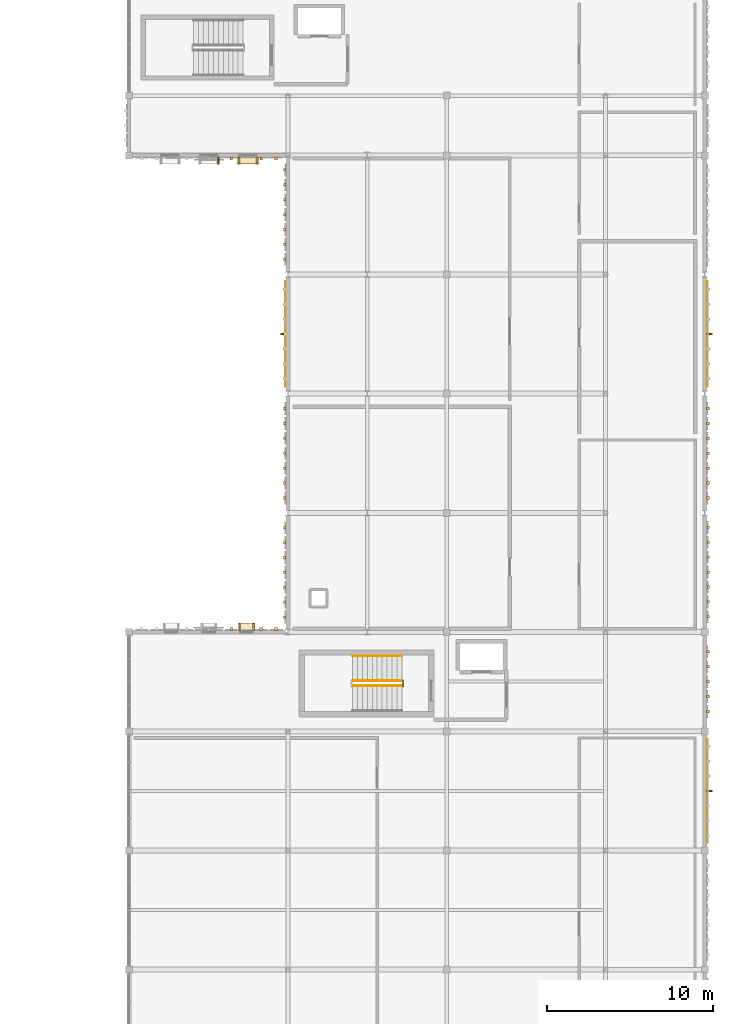
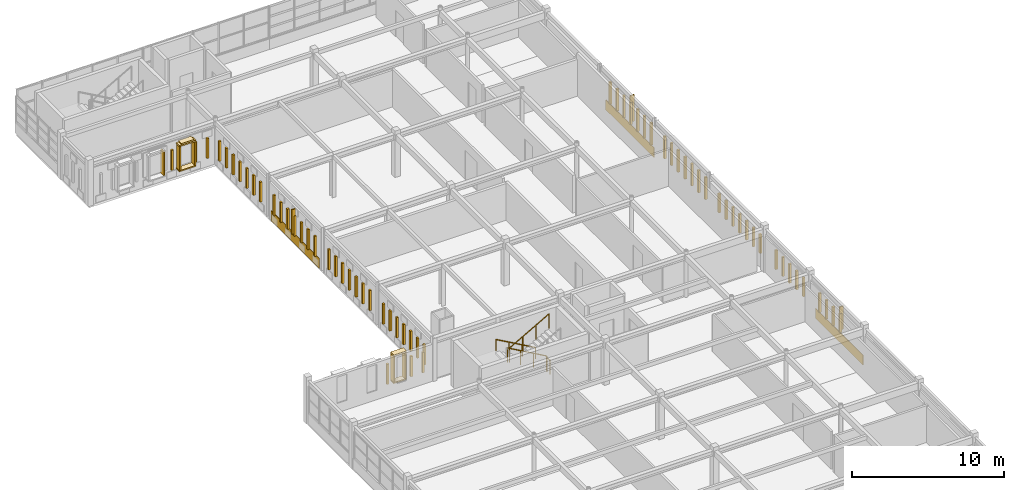
# One storey, part 41 of 46: 77 coverings, 4 railings, 3 shading devices.
"""IFC4 building model written with IfcOpenShell, lengths in metres."""

import ifcopenshell
import ifcopenshell.guid

model = None  # the IFC model being written
_history = None  # IfcOwnerHistory: only IFC2X3 demands one
_inside = {}  # id of a spatial element -> (the spatial element, [elements in it])
_under = {}  # id of a project, library or spatial element -> (it, [spatial elements below it])
_declared = {}  # id of a project -> (the project, [libraries it declares])
_typed = {}  # id of a type object -> (the type object, [elements of that type])
_made_of = {}  # id of a material, layer set ... -> (it, [elements and type objects made of it])


def new_model(schema):
    """Start an empty IFC model of exactly this schema.

    Asked for "IFC4X3", IfcOpenShell would pick the latest addendum, in which some entities
    have other attributes; the version numbers below select the first issue.
    IFC2X3 requires an IfcOwnerHistory on every rooted entity: one is made here for all.
    """
    global model, _history
    if schema == "IFC4X3":
        model = ifcopenshell.file(schema_version=(4, 3, 0, 0))
    else:
        model = ifcopenshell.file(schema=schema)
    _inside.clear()
    _under.clear()
    _declared.clear()
    _typed.clear()
    _made_of.clear()
    _history = None
    if model.schema == "IFC2X3":
        org = make("IfcOrganization", Name="unknown")
        user = make(
            "IfcPersonAndOrganization",
            ThePerson=make("IfcPerson", FamilyName="unknown"),
            TheOrganization=org,
        )
        app = make(
            "IfcApplication",
            ApplicationDeveloper=org,
            Version="unknown",
            ApplicationFullName="unknown",
            ApplicationIdentifier="unknown",
        )
        _history = make(
            "IfcOwnerHistory",
            OwningUser=user,
            OwningApplication=app,
            ChangeAction="ADDED",
            CreationDate=0,
        )
    return model


def make(cls, **values):
    """One entity of the class cls with the attributes given. An attribute that is None is left unset."""
    return model.create_entity(
        cls, **{name: value for name, value in values.items() if value is not None}
    )


def rooted(cls, **values):
    """An entity with a GlobalId (a new one), such as an element, a storey or a relation."""
    return make(cls, GlobalId=ifcopenshell.guid.new(), OwnerHistory=_history, **values)


def si_unit(unit_type, name, prefix=None):
    """IfcSIUnit, for example si_unit("LENGTHUNIT", "METRE", prefix="MILLI")."""
    return make("IfcSIUnit", UnitType=unit_type, Prefix=prefix, Name=name)


def assignment(units):
    """IfcUnitAssignment: the units of a project."""
    return None if units is None else make("IfcUnitAssignment", Units=units)


def point(xyz):
    """IfcCartesianPoint."""
    return None if xyz is None else make("IfcCartesianPoint", Coordinates=xyz)


def direction(xyz):
    """IfcDirection."""
    return None if xyz is None else make("IfcDirection", DirectionRatios=xyz)


def frame(location, z_axis=None, x_axis=None):
    """IfcAxis2Placement3D, a coordinate frame: its origin and axes. An axis left out is left unset."""
    return make(
        "IfcAxis2Placement3D",
        Location=point(location),
        Axis=direction(z_axis),
        RefDirection=direction(x_axis),
    )


def frame_2d(location, x_axis=None):
    """IfcAxis2Placement2D, a coordinate frame in the plane: its origin and x axis."""
    return make(
        "IfcAxis2Placement2D", Location=point(location), RefDirection=direction(x_axis)
    )


def origin():
    """The frame at (0, 0, 0) with its axes left unset."""
    return frame((0.0, 0.0, 0.0))


def origin_2d():
    """The frame at (0, 0) in the plane with its x axis left unset."""
    return frame_2d((0.0, 0.0))


def place(relative_to, where):
    """IfcLocalPlacement: puts the frame where relative to a parent placement (None: the world)."""
    return make(
        "IfcLocalPlacement", PlacementRelTo=relative_to, RelativePlacement=where
    )


def context(
    kind, dimensions, precision=None, world=None, true_north=None, identifier=None
):
    """IfcGeometricRepresentationContext, for example the 3D "Model" context."""
    return make(
        "IfcGeometricRepresentationContext",
        ContextIdentifier=identifier,
        ContextType=kind,
        CoordinateSpaceDimension=dimensions,
        Precision=precision,
        WorldCoordinateSystem=world,
        TrueNorth=true_north,
    )


def subcontext(parent, identifier, kind, view, scale=None):
    """IfcGeometricRepresentationSubContext, for example "Body" below "Model"."""
    return make(
        "IfcGeometricRepresentationSubContext",
        ContextIdentifier=identifier,
        ContextType=kind,
        ParentContext=parent,
        TargetScale=scale,
        TargetView=view,
    )


def project(units=None, contexts=None):
    """IfcProject with its units and contexts."""
    return rooted(
        "IfcProject",
        Name="project",
        RepresentationContexts=contexts,
        UnitsInContext=assignment(units),
    )


def spatial(cls, under=None, at=None, **own):
    """A site, building, storey or space (cls), placed at a placement, below another one or the project."""
    s = rooted(cls, ObjectPlacement=at, **own)
    if under is not None:
        _under.setdefault(under.id(), (under, []))[1].append(s)
    return s


def profile(cls, at=None, kind="AREA", **sizes):
    """A parametric profile (cls). Its sizes go by their IFC names, for example OverallWidth=200.0."""
    return make(cls, ProfileType=kind, Position=at, **sizes)


def rectangle(**sizes):
    """IfcRectangleProfileDef."""
    return profile("IfcRectangleProfileDef", **sizes)


def circle(**sizes):
    """IfcCircleProfileDef."""
    return profile("IfcCircleProfileDef", **sizes)


def extrude(swept, where, along, depth):
    """IfcExtrudedAreaSolid: the profile swept, set in the frame where, extruded along a direction by depth."""
    return make(
        "IfcExtrudedAreaSolid",
        SweptArea=swept,
        Position=where,
        ExtrudedDirection=direction(along),
        Depth=depth,
    )


def shape(context_of_items, identifier, shape_type, items):
    """IfcShapeRepresentation: the items that make up one representation, for example the "Body"."""
    return make(
        "IfcShapeRepresentation",
        ContextOfItems=context_of_items,
        RepresentationIdentifier=identifier,
        RepresentationType=shape_type,
        Items=items,
    )


def material(Name=None, Category=None):
    """IfcMaterial."""
    return make("IfcMaterial", Name=Name, Category=Category)


def layer(
    of_material, thickness, ventilated=None, Name=None, Category=None, Priority=None
):
    """IfcMaterialLayer: one layer of a wall or slab, of a material (None: an air gap)."""
    return make(
        "IfcMaterialLayer",
        Material=of_material,
        LayerThickness=thickness,
        IsVentilated=ventilated,
        Name=Name,
        Category=Category,
        Priority=Priority,
    )


def layer_set(layers, Name=None):
    """IfcMaterialLayerSet."""
    return make("IfcMaterialLayerSet", MaterialLayers=layers, LayerSetName=Name)


def made_of(thing, what):
    """Note that an element or type object is made of a material, layer set ...; save() writes the relation."""
    if what is not None:
        _made_of.setdefault(what.id(), (what, []))[1].append(thing)
    return thing


def type_object(cls, material=None, **own):
    """A type object (cls), such as IfcWallType, which elements share."""
    return made_of(rooted(cls, **own), material)


def element(
    cls,
    number,
    at=None,
    inside=None,
    cuts=None,
    type_object=None,
    material=None,
    context=None,
    identifier="Body",
    shape_type=None,
    held_by="IfcProductDefinitionShape",
    body=None,
    shapes=None,
    **own,
):
    """One element of the class cls, such as IfcWall. Its Tag is "e" and its number.

    at: its placement. inside: the storey or other place that contains it. cuts: it is an
    opening in that element (IfcRelVoidsElement). A single representation is given by context,
    identifier, shape_type and body (its items); several are given by shapes. held_by: the class
    of the entity that holds the representations. save() writes the other relations.
    """
    e = rooted(cls, Tag="e%d" % number, ObjectPlacement=at, **own)
    if body is not None:
        shapes = [shape(context, identifier, shape_type, body)]
    if shapes is not None:
        e.Representation = make(held_by, Representations=shapes)
    if inside is not None:
        _inside.setdefault(inside.id(), (inside, []))[1].append(e)
    if cuts is not None:
        rooted(
            "IfcRelVoidsElement", RelatingBuildingElement=cuts, RelatedOpeningElement=e
        )
    if type_object is not None:
        _typed.setdefault(type_object.id(), (type_object, []))[1].append(e)
    return made_of(e, material)


def aggregate(whole, parts):
    """IfcRelAggregates: a whole, such as a stair, and the parts it consists of."""
    return rooted("IfcRelAggregates", RelatingObject=whole, RelatedObjects=parts)


def save(model, path):
    """Write the relations noted so far, then the file.

    IfcRelAggregates (storeys below a building ...), IfcRelContainedInSpatialStructure (elements
    in a storey), IfcRelDefinesByType, IfcRelAssociatesMaterial and IfcRelDeclares: one each for
    every whole, place, type object, material and project.
    """
    for whole, parts in _under.values():
        aggregate(whole, parts)
    for where, things in _inside.values():
        rooted(
            "IfcRelContainedInSpatialStructure",
            RelatedElements=things,
            RelatingStructure=where,
        )
    for kind, things in _typed.values():
        rooted("IfcRelDefinesByType", RelatedObjects=things, RelatingType=kind)
    for what, things in _made_of.values():
        rooted("IfcRelAssociatesMaterial", RelatedObjects=things, RelatingMaterial=what)
    for by, libraries in _declared.values():
        rooted("IfcRelDeclares", RelatingContext=by, RelatedDefinitions=libraries)
    model.write(path)


model = new_model("IFC4")

# Units and contexts
model_context = context("Model", 3, precision=1e-05, world=origin(), true_north=direction((0.0, 1.0)))
body_context = subcontext(model_context, "Body", "Model", "MODEL_VIEW")
ifc_project = project(units=[si_unit("LENGTHUNIT", "METRE"), si_unit("AREAUNIT", "SQUARE_METRE"), si_unit("VOLUMEUNIT", "CUBIC_METRE"), si_unit("PLANEANGLEUNIT", "RADIAN"), si_unit("MASSUNIT", "GRAM", prefix="KILO")], contexts=[model_context])

# Site, building, storey
site_placement = place(None, origin())
site = spatial("IfcSite", under=ifc_project, at=site_placement, CompositionType="ELEMENT")
building_placement = place(site_placement, origin())
building = spatial("IfcBuilding", under=site, at=building_placement, Name="Nzembalo Square Collegiate School", CompositionType="ELEMENT")
storey_placement = place(building_placement, frame((0.0, 0.0, 17.340087890625)))
storey = spatial("IfcBuildingStorey", under=building, at=storey_placement, Name="L04", CompositionType="ELEMENT", Elevation=17.340087890625)

# Coverings
ifc_material_1 = material(Name="Glazed cobalt ceramic patterned tile")
ifc_layer_1 = layer(ifc_material_1, 0.074951171875, Name="Glazed cobalt ceramic patterned tile")
ifc_layer_set_1 = layer_set([ifc_layer_1], Name="Glazed cobalt ceramic patterned tile")
covering_type_1 = type_object("IfcCoveringType", Name="CL01", PredefinedType="CLADDING", material=ifc_layer_set_1)
covering_1_placement = place(storey_placement, frame((140.262451171875, 68.39990234375, 0.02001953125), z_axis=(0.0, 0.0, 1.0), x_axis=(1.0, 0.0, 0.0)))
element("IfcCovering", 1, at=covering_1_placement, inside=storey, type_object=covering_type_1, Name="Faience spandrel cladding CL01-0244", PredefinedType="CLADDING", context=body_context, shape_type="SweptSolid", body=[
    extrude(rectangle(XDim=0.034912109375, YDim=6.35595703125, at=origin_2d()), origin(), (0.0, 0.0, 1.0), 0.800048828125),
])
covering_2_placement = place(storey_placement, frame((165.737548828125, 40.800048828125, 0.02001953125), z_axis=(0.0, 0.0, 1.0), x_axis=(1.0, 0.0, 0.0)))
element("IfcCovering", 2, at=covering_2_placement, inside=storey, type_object=covering_type_1, Name="Faience spandrel cladding CL01-0252", PredefinedType="CLADDING", context=body_context, shape_type="SweptSolid", body=[
    extrude(rectangle(XDim=0.034912109375, YDim=6.27587890625, at=origin_2d()), origin(), (0.0, 0.0, 1.0), 0.800048828125),
])
covering_3_placement = place(storey_placement, frame((165.737548828125, 68.39990234375, 0.02001953125), z_axis=(0.0, 0.0, 1.0), x_axis=(1.0, 0.0, 0.0)))
element("IfcCovering", 3, at=covering_3_placement, inside=storey, type_object=covering_type_1, Name="Faience spandrel cladding CL01-0256", PredefinedType="CLADDING", context=body_context, shape_type="SweptSolid", body=[
    extrude(rectangle(XDim=0.034912109375, YDim=6.35595703125, at=origin_2d()), origin(), (0.0, 0.0, 1.0), 0.800048828125),
])
ifc_material_2 = material(Name="Glazed ochre ceramic lancet rib")
ifc_layer_2 = layer(ifc_material_2, 0.159912109375, Name="Glazed ochre ceramic lancet rib")
ifc_layer_set_2 = layer_set([ifc_layer_2], Name="Glazed ochre ceramic lancet rib")
covering_type_2 = type_object("IfcCoveringType", Name="CL02", PredefinedType="CLADDING", material=ifc_layer_set_2)
for number, where, z_axis, x_axis, name in (
    (4, (136.97998046875, 50.577392578125, 0.760009765625), (0.0, 0.0, 1.0), (1.0, 0.0, 0.0), "Gothic ceramic rib CL02-X0241-6"),
    (5, (138.780029296875, 50.577392578125, 0.760009765625), (0.0, 0.0, 1.0), (1.0, 0.0, 0.0), "Gothic ceramic rib CL02-X0241-8"),
    (6, (139.679931640625, 50.577392578125, 0.760009765625), (0.0, 0.0, 1.0), (1.0, 0.0, 0.0), "Gothic ceramic rib CL02-X0241-9"),
    (7, (140.20751953125, 51.300048828125, 0.760009765625), (0.0, 0.0, 1.0), (1.0, 0.0, 0.0), "Gothic ceramic rib CL02-Y0242-0"),
    (8, (140.20751953125, 52.199951171875, 0.760009765625), (0.0, 0.0, 1.0), (1.0, 0.0, 0.0), "Gothic ceramic rib CL02-Y0242-1"),
    (9, (140.20751953125, 53.10009765625, 0.760009765625), (0.0, 0.0, 1.0), (1.0, 0.0, 0.0), "Gothic ceramic rib CL02-Y0242-2"),
    (10, (140.20751953125, 54.0, 0.760009765625), (0.0, 0.0, 1.0), (1.0, 0.0, 0.0), "Gothic ceramic rib CL02-Y0242-3"),
    (11, (140.20751953125, 54.89990234375, 0.760009765625), (0.0, 0.0, 1.0), (1.0, 0.0, 0.0), "Gothic ceramic rib CL02-Y0242-4"),
    (12, (140.20751953125, 55.800048828125, 0.760009765625), (0.0, 0.0, 1.0), (1.0, 0.0, 0.0), "Gothic ceramic rib CL02-Y0242-5"),
    (13, (140.20751953125, 56.699951171875, 0.760009765625), (0.0, 0.0, 1.0), (1.0, 0.0, 0.0), "Gothic ceramic rib CL02-Y0242-6"),
    (14, (140.222412109375, 58.5, 0.760009765625), (0.0, 0.0, 1.0), (1.0, 0.0, 0.0), "Gothic ceramic rib CL02-Y0243-0"),
    (15, (140.222412109375, 59.39990234375, 0.760009765625), (0.0, 0.0, 1.0), (1.0, 0.0, 0.0), "Gothic ceramic rib CL02-Y0243-1"),
    (16, (140.222412109375, 60.300048828125, 0.760009765625), (0.0, 0.0, 1.0), (1.0, 0.0, 0.0), "Gothic ceramic rib CL02-Y0243-2"),
    (17, (140.222412109375, 61.199951171875, 0.760009765625), (0.0, 0.0, 1.0), (1.0, 0.0, 0.0), "Gothic ceramic rib CL02-Y0243-3"),
    (18, (140.222412109375, 62.10009765625, 0.760009765625), (0.0, 0.0, 1.0), (1.0, 0.0, 0.0), "Gothic ceramic rib CL02-Y0243-4"),
    (19, (140.222412109375, 63.0, 0.760009765625), (0.0, 0.0, 1.0), (1.0, 0.0, 0.0), "Gothic ceramic rib CL02-Y0243-5"),
    (20, (140.222412109375, 63.89990234375, 0.760009765625), (0.0, 0.0, 1.0), (1.0, 0.0, 0.0), "Gothic ceramic rib CL02-Y0243-6"),
    (21, (140.20751953125, 65.699951171875, 0.760009765625), (0.0, 0.0, 1.0), (1.0, 0.0, 0.0), "Gothic ceramic rib CL02-Y0244-0"),
    (22, (140.20751953125, 66.60009765625, 0.760009765625), (0.0, 0.0, 1.0), (1.0, 0.0, 0.0), "Gothic ceramic rib CL02-Y0244-1"),
    (23, (140.20751953125, 67.5, 0.760009765625), (0.0, 0.0, 1.0), (1.0, 0.0, 0.0), "Gothic ceramic rib CL02-Y0244-2"),
    (24, (140.20751953125, 68.39990234375, 0.760009765625), (0.0, 0.0, 1.0), (1.0, 0.0, 0.0), "Gothic ceramic rib CL02-Y0244-3"),
    (25, (140.20751953125, 69.300048828125, 0.760009765625), (0.0, 0.0, 1.0), (1.0, 0.0, 0.0), "Gothic ceramic rib CL02-Y0244-4"),
    (26, (140.20751953125, 70.199951171875, 0.760009765625), (0.0, 0.0, 1.0), (1.0, 0.0, 0.0), "Gothic ceramic rib CL02-Y0244-5"),
    (27, (140.20751953125, 71.10009765625, 0.760009765625), (0.0, 0.0, 1.0), (1.0, 0.0, 0.0), "Gothic ceramic rib CL02-Y0244-6"),
):
    element("IfcCovering", number, at=place(storey_placement, frame(where, z_axis=z_axis, x_axis=x_axis)), inside=storey, type_object=covering_type_2, Name=name, PredefinedType="CLADDING", context=body_context, shape_type="SweptSolid", body=[
        extrude(rectangle(XDim=0.159912109375, YDim=0.159912109375, at=origin_2d()), origin(), (0.0, 0.0, 1.0), 1.62890625),
    ])
for number, where, z_axis, x_axis, name in (
    (28, (140.222412109375, 72.916748046875, 0.759765625), (0.0, 0.0, 1.0), (1.0, 0.0, 0.0), "Gothic ceramic rib CL02-Y0245-0"),
    (29, (140.222412109375, 73.816650390625, 0.759765625), (0.0, 0.0, 1.0), (1.0, 0.0, 0.0), "Gothic ceramic rib CL02-Y0245-1"),
    (30, (140.222412109375, 74.716796875, 0.759765625), (0.0, 0.0, 1.0), (1.0, 0.0, 0.0), "Gothic ceramic rib CL02-Y0245-2"),
    (31, (140.222412109375, 75.61669921875, 0.759765625), (0.0, 0.0, 1.0), (1.0, 0.0, 0.0), "Gothic ceramic rib CL02-Y0245-3"),
    (32, (140.222412109375, 76.5166015625, 0.759765625), (0.0, 0.0, 1.0), (1.0, 0.0, 0.0), "Gothic ceramic rib CL02-Y0245-4"),
    (33, (140.222412109375, 77.416748046875, 0.759765625), (0.0, 0.0, 1.0), (1.0, 0.0, 0.0), "Gothic ceramic rib CL02-Y0245-5"),
    (34, (140.222412109375, 78.316650390625, 0.759765625), (0.0, 0.0, 1.0), (1.0, 0.0, 0.0), "Gothic ceramic rib CL02-Y0245-6"),
    (35, (136.98681640625, 79.007568359375, 0.759765625), (0.0, 0.0, 1.0), (1.0, 0.0, 0.0), "Gothic ceramic rib CL02-X0246-6"),
    (36, (138.78662109375, 79.007568359375, 0.759765625), (0.0, 0.0, 1.0), (1.0, 0.0, 0.0), "Gothic ceramic rib CL02-X0246-8"),
    (37, (139.686767578125, 79.007568359375, 0.759765625), (0.0, 0.0, 1.0), (1.0, 0.0, 0.0), "Gothic ceramic rib CL02-X0246-9"),
):
    element("IfcCovering", number, at=place(storey_placement, frame(where, z_axis=z_axis, x_axis=x_axis)), inside=storey, type_object=covering_type_2, Name=name, PredefinedType="CLADDING", context=body_context, shape_type="SweptSolid", body=[
        extrude(rectangle(XDim=0.159912109375, YDim=0.159912109375, at=origin_2d()), origin(), (0.0, 0.0, 1.0), 1.59912109375),
    ])
for number, where, z_axis, x_axis, name in (
    (38, (165.79248046875, 40.800048828125, 0.760009765625), (0.0, 0.0, 1.0), (1.0, 0.0, 0.0), "Gothic ceramic rib CL02-Y0252-3"),
    (39, (165.79248046875, 41.699951171875, 0.760009765625), (0.0, 0.0, 1.0), (1.0, 0.0, 0.0), "Gothic ceramic rib CL02-Y0252-4"),
    (40, (165.79248046875, 42.60009765625, 0.760009765625), (0.0, 0.0, 1.0), (1.0, 0.0, 0.0), "Gothic ceramic rib CL02-Y0252-5"),
    (41, (165.79248046875, 43.5, 0.760009765625), (0.0, 0.0, 1.0), (1.0, 0.0, 0.0), "Gothic ceramic rib CL02-Y0252-6"),
    (42, (165.777587890625, 45.60009765625, 0.760009765625), (0.0, 0.0, 1.0), (1.0, 0.0, 0.0), "Gothic ceramic rib CL02-Y0253-0"),
    (43, (165.777587890625, 46.5, 0.760009765625), (0.0, 0.0, 1.0), (1.0, 0.0, 0.0), "Gothic ceramic rib CL02-Y0253-1"),
    (44, (165.777587890625, 47.39990234375, 0.760009765625), (0.0, 0.0, 1.0), (1.0, 0.0, 0.0), "Gothic ceramic rib CL02-Y0253-2"),
    (45, (165.777587890625, 48.300048828125, 0.760009765625), (0.0, 0.0, 1.0), (1.0, 0.0, 0.0), "Gothic ceramic rib CL02-Y0253-3"),
    (46, (165.777587890625, 49.199951171875, 0.760009765625), (0.0, 0.0, 1.0), (1.0, 0.0, 0.0), "Gothic ceramic rib CL02-Y0253-4"),
    (47, (165.79248046875, 51.320068359375, 0.760009765625), (0.0, 0.0, 1.0), (1.0, 0.0, 0.0), "Gothic ceramic rib CL02-Y0254-0"),
    (48, (165.79248046875, 52.219970703125, 0.760009765625), (0.0, 0.0, 1.0), (1.0, 0.0, 0.0), "Gothic ceramic rib CL02-Y0254-1"),
    (49, (165.79248046875, 53.1201171875, 0.760009765625), (0.0, 0.0, 1.0), (1.0, 0.0, 0.0), "Gothic ceramic rib CL02-Y0254-2"),
    (50, (165.79248046875, 54.02001953125, 0.760009765625), (0.0, 0.0, 1.0), (1.0, 0.0, 0.0), "Gothic ceramic rib CL02-Y0254-3"),
    (51, (165.79248046875, 54.919921875, 0.760009765625), (0.0, 0.0, 1.0), (1.0, 0.0, 0.0), "Gothic ceramic rib CL02-Y0254-4"),
    (52, (165.79248046875, 55.820068359375, 0.760009765625), (0.0, 0.0, 1.0), (1.0, 0.0, 0.0), "Gothic ceramic rib CL02-Y0254-5"),
    (53, (165.79248046875, 56.719970703125, 0.760009765625), (0.0, 0.0, 1.0), (1.0, 0.0, 0.0), "Gothic ceramic rib CL02-Y0254-6"),
):
    element("IfcCovering", number, at=place(storey_placement, frame(where, z_axis=z_axis, x_axis=x_axis)), inside=storey, type_object=covering_type_2, Name=name, PredefinedType="CLADDING", context=body_context, shape_type="SweptSolid", body=[
        extrude(rectangle(XDim=0.159912109375, YDim=0.159912109375, at=origin_2d()), origin(), (0.0, 0.0, 1.0), 1.51904296875),
    ])
for number, where, z_axis, x_axis, name in (
    (54, (165.777587890625, 58.5, 0.759765625), (0.0, 0.0, 1.0), (1.0, 0.0, 0.0), "Gothic ceramic rib CL02-Y0255-0"),
    (55, (165.777587890625, 59.39990234375, 0.759765625), (0.0, 0.0, 1.0), (1.0, 0.0, 0.0), "Gothic ceramic rib CL02-Y0255-1"),
    (56, (165.777587890625, 60.300048828125, 0.759765625), (0.0, 0.0, 1.0), (1.0, 0.0, 0.0), "Gothic ceramic rib CL02-Y0255-2"),
    (57, (165.777587890625, 61.199951171875, 0.759765625), (0.0, 0.0, 1.0), (1.0, 0.0, 0.0), "Gothic ceramic rib CL02-Y0255-3"),
    (58, (165.777587890625, 62.10009765625, 0.759765625), (0.0, 0.0, 1.0), (1.0, 0.0, 0.0), "Gothic ceramic rib CL02-Y0255-4"),
    (59, (165.777587890625, 63.0, 0.759765625), (0.0, 0.0, 1.0), (1.0, 0.0, 0.0), "Gothic ceramic rib CL02-Y0255-5"),
    (60, (165.777587890625, 63.89990234375, 0.759765625), (0.0, 0.0, 1.0), (1.0, 0.0, 0.0), "Gothic ceramic rib CL02-Y0255-6"),
    (61, (165.79248046875, 65.699951171875, 0.759765625), (0.0, 0.0, 1.0), (1.0, 0.0, 0.0), "Gothic ceramic rib CL02-Y0256-0"),
    (62, (165.79248046875, 66.60009765625, 0.759765625), (0.0, 0.0, 1.0), (1.0, 0.0, 0.0), "Gothic ceramic rib CL02-Y0256-1"),
    (63, (165.79248046875, 67.5, 0.759765625), (0.0, 0.0, 1.0), (1.0, 0.0, 0.0), "Gothic ceramic rib CL02-Y0256-2"),
    (64, (165.79248046875, 68.39990234375, 0.759765625), (0.0, 0.0, 1.0), (1.0, 0.0, 0.0), "Gothic ceramic rib CL02-Y0256-3"),
    (65, (165.79248046875, 69.300048828125, 0.759765625), (0.0, 0.0, 1.0), (1.0, 0.0, 0.0), "Gothic ceramic rib CL02-Y0256-4"),
    (66, (165.79248046875, 70.199951171875, 0.759765625), (0.0, 0.0, 1.0), (1.0, 0.0, 0.0), "Gothic ceramic rib CL02-Y0256-5"),
    (67, (165.79248046875, 71.10009765625, 0.759765625), (0.0, 0.0, 1.0), (1.0, 0.0, 0.0), "Gothic ceramic rib CL02-Y0256-6"),
):
    element("IfcCovering", number, at=place(storey_placement, frame(where, z_axis=z_axis, x_axis=x_axis)), inside=storey, type_object=covering_type_2, Name=name, PredefinedType="CLADDING", context=body_context, shape_type="SweptSolid", body=[
        extrude(rectangle(XDim=0.159912109375, YDim=0.159912109375, at=origin_2d()), origin(), (0.0, 0.0, 1.0), 1.779052734375),
    ])
ifc_material_3 = material(Name="Glazed celadon ceramic window frame")
ifc_layer_3 = layer(ifc_material_3, 0.419921875, Name="Glazed celadon ceramic window frame")
ifc_layer_set_3 = layer_set([ifc_layer_3], Name="Glazed celadon ceramic window frame")
covering_type_3 = type_object("IfcCoveringType", Name="WF01", PredefinedType="CLADDING", material=ifc_layer_set_3)
covering_4_placement = place(storey_placement, frame((137.906494140625, 50.71240234375, 2.85498046875), z_axis=(0.0, 0.0, 1.0), x_axis=(1.0, 0.0, 0.0)))
element("IfcCovering", 68, at=covering_4_placement, inside=storey, type_object=covering_type_3, Name="Deep lancet window hood WF01-0817", PredefinedType="CLADDING", context=body_context, shape_type="SweptSolid", body=[
    extrude(rectangle(XDim=0.989990234375, YDim=0.419921875, at=origin_2d()), origin(), (0.0, 0.0, 1.0), 0.110107421875),
])
covering_5_placement = place(storey_placement, frame((137.906494140625, 50.71240234375, 0.65478515625), z_axis=(0.0, 0.0, 1.0), x_axis=(1.0, 0.0, 0.0)))
element("IfcCovering", 69, at=covering_5_placement, inside=storey, type_object=covering_type_3, Name="Deep lancet window sill WF01-0817", PredefinedType="CLADDING", context=body_context, shape_type="SweptSolid", body=[
    extrude(rectangle(XDim=0.989990234375, YDim=0.419921875, at=origin_2d()), origin(), (0.0, 0.0, 1.0), 0.090087890625),
])
for number, where, z_axis, x_axis, name in (
    (70, (137.4765625, 50.71240234375, 0.749755859375), (0.0, 0.0, 1.0), (1.0, 0.0, 0.0), "Deep lancet window jamb WF01-0817L"),
    (71, (138.33642578125, 50.71240234375, 0.749755859375), (0.0, 0.0, 1.0), (1.0, 0.0, 0.0), "Deep lancet window jamb WF01-0817R"),
):
    element("IfcCovering", number, at=place(storey_placement, frame(where, z_axis=z_axis, x_axis=x_axis)), inside=storey, type_object=covering_type_3, Name=name, PredefinedType="CLADDING", context=body_context, shape_type="SweptSolid", body=[
        extrude(rectangle(XDim=0.10009765625, YDim=0.419921875, at=origin_2d()), origin(), (0.0, 0.0, 1.0), 2.10009765625),
    ])
covering_6_placement = place(storey_placement, frame((136.216796875, 78.87255859375, 0.75), z_axis=(0.0, 0.0, 1.0), x_axis=(1.0, 0.0, 0.0)))
element("IfcCovering", 72, at=covering_6_placement, inside=storey, type_object=covering_type_3, Name="Deep lancet window jamb WF01-0827R", PredefinedType="CLADDING", context=body_context, shape_type="SweptSolid", body=[
    extrude(rectangle(XDim=0.10009765625, YDim=0.419921875, at=origin_2d()), origin(), (0.0, 0.0, 1.0), 1.89990234375),
])
covering_7_placement = place(storey_placement, frame((137.99169921875, 78.87255859375, 2.65478515625), z_axis=(0.0, 0.0, 1.0), x_axis=(1.0, 0.0, 0.0)))
element("IfcCovering", 73, at=covering_7_placement, inside=storey, type_object=covering_type_3, Name="Deep lancet window hood WF01-0828", PredefinedType="CLADDING", context=body_context, shape_type="SweptSolid", body=[
    extrude(rectangle(XDim=1.2900390625, YDim=0.419921875, at=origin_2d()), origin(), (0.0, 0.0, 1.0), 0.110107421875),
])
covering_8_placement = place(storey_placement, frame((137.99169921875, 78.87255859375, 2.759765625), z_axis=(0.0, 0.0, 1.0), x_axis=(1.0, 0.0, 0.0)))
element("IfcCovering", 74, at=covering_8_placement, inside=storey, type_object=covering_type_3, Name="Pointed lancet gable WF01-0828-1", PredefinedType="CLADDING", context=body_context, shape_type="SweptSolid", body=[
    extrude(rectangle(XDim=0.949951171875, YDim=0.419921875, at=origin_2d()), origin(), (0.0, 0.0, 1.0), 0.1201171875),
])
covering_9_placement = place(storey_placement, frame((137.99169921875, 78.87255859375, 0.65478515625), z_axis=(0.0, 0.0, 1.0), x_axis=(1.0, 0.0, 0.0)))
element("IfcCovering", 75, at=covering_9_placement, inside=storey, type_object=covering_type_3, Name="Deep lancet window sill WF01-0828", PredefinedType="CLADDING", context=body_context, shape_type="SweptSolid", body=[
    extrude(rectangle(XDim=1.2900390625, YDim=0.419921875, at=origin_2d()), origin(), (0.0, 0.0, 1.0), 0.090087890625),
])
for number, where, z_axis, x_axis, name in (
    (76, (137.41162109375, 78.87255859375, 0.75), (0.0, 0.0, 1.0), (1.0, 0.0, 0.0), "Deep lancet window jamb WF01-0828L"),
    (77, (138.571533203125, 78.87255859375, 0.75), (0.0, 0.0, 1.0), (1.0, 0.0, 0.0), "Deep lancet window jamb WF01-0828R"),
):
    element("IfcCovering", number, at=place(storey_placement, frame(where, z_axis=z_axis, x_axis=x_axis)), inside=storey, type_object=covering_type_3, Name=name, PredefinedType="CLADDING", context=body_context, shape_type="SweptSolid", body=[
        extrude(rectangle(XDim=0.10009765625, YDim=0.419921875, at=origin_2d()), origin(), (0.0, 0.0, 1.0), 1.89990234375),
    ])

# Railings
ifc_material_4 = material(Name="Steel S355", Category="steel")
railing_type_1 = type_object("IfcRailingType", Name="GR01", PredefinedType="GUARDRAIL", material=ifc_material_4)
railing_1_placement = place(storey_placement, frame((147.300048828125, 47.449951171875, 0.159912109375)))
element("IfcRailing", 78, at=railing_1_placement, inside=storey, type_object=railing_type_1, Name="Stair guard GR-23-1", PredefinedType="GUARDRAIL", context=body_context, shape_type="SweptSolid", body=[
    extrude(circle(Radius=0.02392578125, at=origin_2d()), frame((0.0, 0.0, 1.1259765625), z_axis=(-0.870028259722, 0.0, 0.493001853226), x_axis=(0.0, -1.0, 0.0)), (0.0, 0.0, 1.0), 3.4482421875),
    extrude(circle(Radius=0.02099609375, at=origin_2d()), origin(), (0.0, 0.0, 1.0), 1.101806640625),
    extrude(circle(Radius=0.02099609375, at=origin_2d()), frame((-1.0, 0.0, 0.566650390625)), (0.0, 0.0, 1.0), 1.101806640625),
    extrude(circle(Radius=0.02099609375, at=origin_2d()), frame((-2.0, 0.0, 1.13330078125)), (0.0, 0.0, 1.0), 1.101806640625),
    extrude(circle(Radius=0.02099609375, at=origin_2d()), frame((-3.0, 0.0, 1.699951171875)), (0.0, 0.0, 1.0), 1.101806640625),
])
railing_2_placement = place(storey_placement, frame((144.300048828125, 47.14990234375, 2.030029296875)))
element("IfcRailing", 79, at=railing_2_placement, inside=storey, type_object=railing_type_1, Name="Stair guard GR-23-3", PredefinedType="GUARDRAIL", context=body_context, shape_type="SweptSolid", body=[
    extrude(circle(Radius=0.02392578125, at=origin_2d()), frame((0.0, 0.0, 1.1259765625), z_axis=(0.870028259722, 0.0, 0.493001853226), x_axis=(0.0, 1.0, 0.0)), (0.0, 0.0, 1.0), 3.4482421875),
    extrude(circle(Radius=0.02099609375, at=origin_2d()), origin(), (0.0, 0.0, 1.0), 1.101806640625),
    extrude(circle(Radius=0.02099609375, at=origin_2d()), frame((1.0, 0.0, 0.566650390625)), (0.0, 0.0, 1.0), 1.101806640625),
    extrude(circle(Radius=0.02099609375, at=origin_2d()), frame((2.0, 0.0, 1.13330078125)), (0.0, 0.0, 1.0), 1.101806640625),
    extrude(circle(Radius=0.02099609375, at=origin_2d()), frame((3.0, 0.0, 1.699951171875)), (0.0, 0.0, 1.0), 1.101806640625),
])
railing_3_placement = place(storey_placement, frame((147.35009765625, 47.1201171875, -0.005126953125)))
element("IfcRailing", 80, at=railing_3_placement, inside=storey, type_object=railing_type_1, Name="Stair guard GR-23-4", PredefinedType="GUARDRAIL", context=body_context, shape_type="SweptSolid", body=[
    extrude(circle(Radius=0.02392578125, at=origin_2d()), frame((0.0, 0.0, 1.1259765625), z_axis=(0.0, 1.0, 0.0), x_axis=(-1.0, 0.0, 0.0)), (0.0, 0.0, 1.0), 0.35986328125),
    extrude(circle(Radius=0.02099609375, at=origin_2d()), origin(), (0.0, 0.0, 1.0), 1.101806640625),
    extrude(circle(Radius=0.02099609375, at=origin_2d()), frame((0.0, 0.35986328125, 0.0)), (0.0, 0.0, 1.0), 1.101806640625),
])
ifc_material_5 = material(Name="Steel S355", Category="steel")
railing_type_2 = type_object("IfcRailingType", Name="HR01", PredefinedType="HANDRAIL", material=ifc_material_5)
railing_4_placement = place(storey_placement, frame((147.300048828125, 48.949951171875, 0.159912109375)))
element("IfcRailing", 81, at=railing_4_placement, inside=storey, type_object=railing_type_2, Name="Stair handrail HR-23-1", PredefinedType="HANDRAIL", context=body_context, shape_type="SweptSolid", body=[
    extrude(circle(Radius=0.02392578125, at=origin_2d()), frame((0.0, 0.0, 0.89599609375), z_axis=(-0.870028259722, 0.0, 0.493001853226), x_axis=(0.0, -1.0, 0.0)), (0.0, 0.0, 1.0), 3.4482421875),
    extrude(circle(Radius=0.02099609375, at=origin_2d()), origin(), (0.0, 0.0, 1.0), 0.871826171875),
    extrude(circle(Radius=0.02099609375, at=origin_2d()), frame((-1.0, 0.0, 0.566650390625)), (0.0, 0.0, 1.0), 0.871826171875),
    extrude(circle(Radius=0.02099609375, at=origin_2d()), frame((-2.0, 0.0, 1.13330078125)), (0.0, 0.0, 1.0), 0.871826171875),
    extrude(circle(Radius=0.02099609375, at=origin_2d()), frame((-3.0, 0.0, 1.699951171875)), (0.0, 0.0, 1.0), 0.871826171875),
])

# Shading devices
ifc_material_6 = material(Name="Glazed ochre ceramic vertical fin")
shading_device_type = type_object("IfcShadingDeviceType", Name="JL01", PredefinedType="JALOUSIE", material=ifc_material_6)
shading_device_1_placement = place(storey_placement, frame((140.12255859375, 68.39990234375, 0.949951171875), z_axis=(0.0, 0.0, 1.0), x_axis=(1.0, 0.0, 0.0)))
element("IfcShadingDevice", 82, at=shading_device_1_placement, inside=storey, type_object=shading_device_type, Name="Ceramic fin JL01-0244", PredefinedType="JALOUSIE", context=body_context, shape_type="SweptSolid", body=[
    extrude(rectangle(XDim=0.320068359375, YDim=0.090087890625, at=origin_2d()), origin(), (0.0, 0.0, 1.0), 1.97900390625),
])
shading_device_2_placement = place(storey_placement, frame((165.87744140625, 40.800048828125, 0.9501953125), z_axis=(0.0, 0.0, 1.0), x_axis=(1.0, 0.0, 0.0)))
element("IfcShadingDevice", 83, at=shading_device_2_placement, inside=storey, type_object=shading_device_type, Name="Ceramic fin JL01-0252", PredefinedType="JALOUSIE", context=body_context, shape_type="SweptSolid", body=[
    extrude(rectangle(XDim=0.320068359375, YDim=0.090087890625, at=origin_2d()), origin(), (0.0, 0.0, 1.0), 1.868896484375),
])
shading_device_3_placement = place(storey_placement, frame((165.87744140625, 68.39990234375, 0.949951171875), z_axis=(0.0, 0.0, 1.0), x_axis=(1.0, 0.0, 0.0)))
element("IfcShadingDevice", 84, at=shading_device_3_placement, inside=storey, type_object=shading_device_type, Name="Ceramic fin JL01-0256", PredefinedType="JALOUSIE", context=body_context, shape_type="SweptSolid", body=[
    extrude(rectangle(XDim=0.320068359375, YDim=0.090087890625, at=origin_2d()), origin(), (0.0, 0.0, 1.0), 2.12890625),
])

save(model, "model.ifc")
